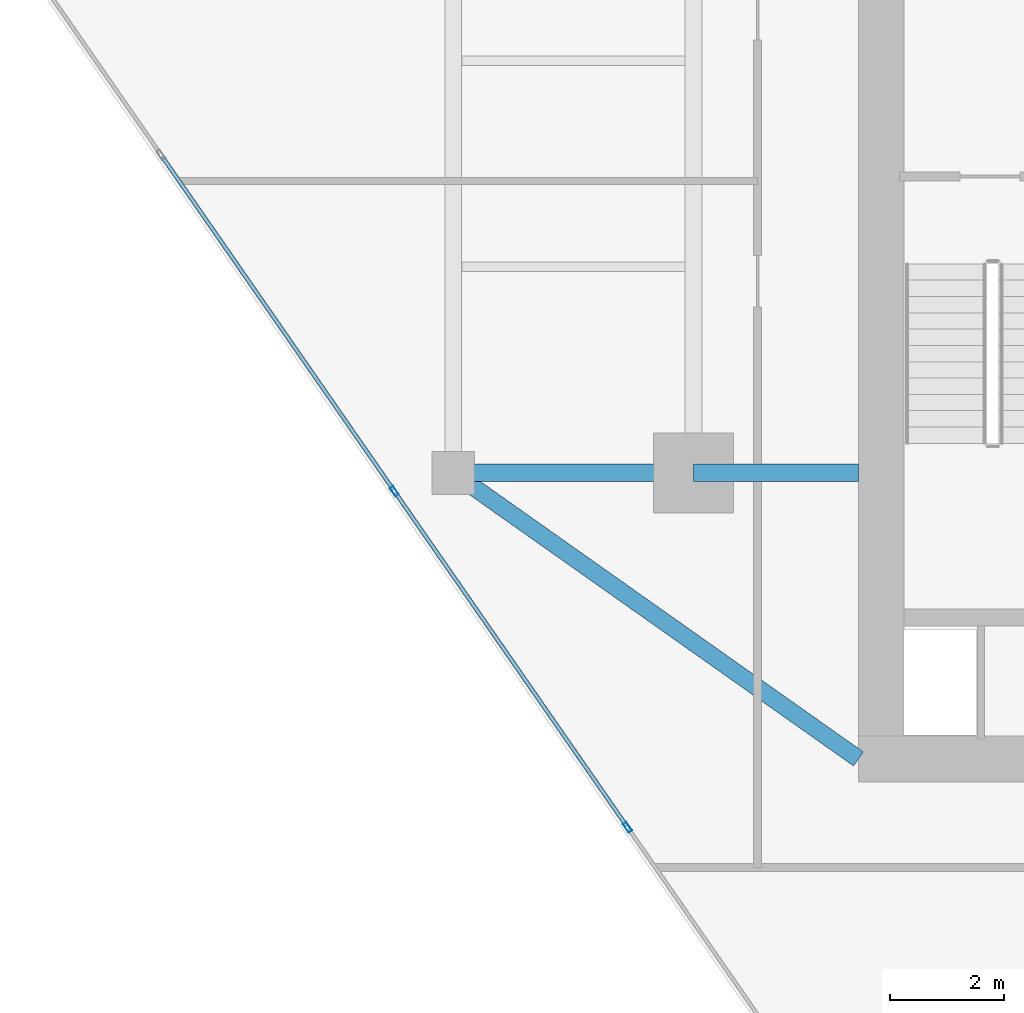
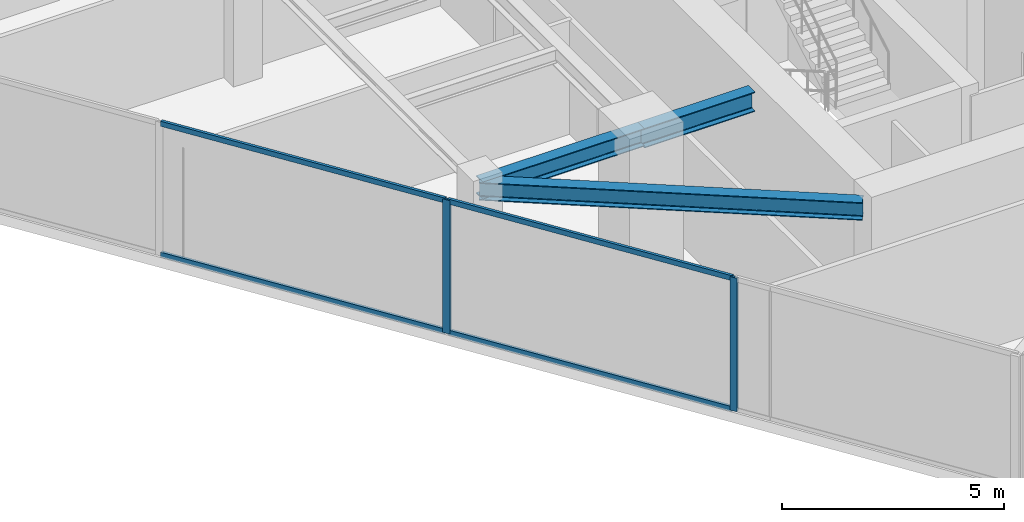
# One storey, part 2 of 21: 6 members, 3 beams, 1 element without a shape of its own.
"""IFC4 building model written with IfcOpenShell, lengths in metres."""

import ifcopenshell
import ifcopenshell.guid

model = None  # the IFC model being written
_history = None  # IfcOwnerHistory: only IFC2X3 demands one
_inside = {}  # id of a spatial element -> (the spatial element, [elements in it])
_under = {}  # id of a project, library or spatial element -> (it, [spatial elements below it])
_declared = {}  # id of a project -> (the project, [libraries it declares])
_typed = {}  # id of a type object -> (the type object, [elements of that type])
_made_of = {}  # id of a material, layer set ... -> (it, [elements and type objects made of it])


def new_model(schema):
    """Start an empty IFC model of exactly this schema.

    Asked for "IFC4X3", IfcOpenShell would pick the latest addendum, in which some entities
    have other attributes; the version numbers below select the first issue.
    IFC2X3 requires an IfcOwnerHistory on every rooted entity: one is made here for all.
    """
    global model, _history
    if schema == "IFC4X3":
        model = ifcopenshell.file(schema_version=(4, 3, 0, 0))
    else:
        model = ifcopenshell.file(schema=schema)
    _inside.clear()
    _under.clear()
    _declared.clear()
    _typed.clear()
    _made_of.clear()
    _history = None
    if model.schema == "IFC2X3":
        org = make("IfcOrganization", Name="unknown")
        user = make(
            "IfcPersonAndOrganization",
            ThePerson=make("IfcPerson", FamilyName="unknown"),
            TheOrganization=org,
        )
        app = make(
            "IfcApplication",
            ApplicationDeveloper=org,
            Version="unknown",
            ApplicationFullName="unknown",
            ApplicationIdentifier="unknown",
        )
        _history = make(
            "IfcOwnerHistory",
            OwningUser=user,
            OwningApplication=app,
            ChangeAction="ADDED",
            CreationDate=0,
        )
    return model


def make(cls, **values):
    """One entity of the class cls with the attributes given. An attribute that is None is left unset."""
    return model.create_entity(
        cls, **{name: value for name, value in values.items() if value is not None}
    )


def rooted(cls, **values):
    """An entity with a GlobalId (a new one), such as an element, a storey or a relation."""
    return make(cls, GlobalId=ifcopenshell.guid.new(), OwnerHistory=_history, **values)


def si_unit(unit_type, name, prefix=None):
    """IfcSIUnit, for example si_unit("LENGTHUNIT", "METRE", prefix="MILLI")."""
    return make("IfcSIUnit", UnitType=unit_type, Prefix=prefix, Name=name)


def assignment(units):
    """IfcUnitAssignment: the units of a project."""
    return None if units is None else make("IfcUnitAssignment", Units=units)


def point(xyz):
    """IfcCartesianPoint."""
    return None if xyz is None else make("IfcCartesianPoint", Coordinates=xyz)


def direction(xyz):
    """IfcDirection."""
    return None if xyz is None else make("IfcDirection", DirectionRatios=xyz)


def frame(location, z_axis=None, x_axis=None):
    """IfcAxis2Placement3D, a coordinate frame: its origin and axes. An axis left out is left unset."""
    return make(
        "IfcAxis2Placement3D",
        Location=point(location),
        Axis=direction(z_axis),
        RefDirection=direction(x_axis),
    )


def frame_2d(location, x_axis=None):
    """IfcAxis2Placement2D, a coordinate frame in the plane: its origin and x axis."""
    return make(
        "IfcAxis2Placement2D", Location=point(location), RefDirection=direction(x_axis)
    )


def origin():
    """The frame at (0, 0, 0) with its axes left unset."""
    return frame((0.0, 0.0, 0.0))


def origin_2d():
    """The frame at (0, 0) in the plane with its x axis left unset."""
    return frame_2d((0.0, 0.0))


def place(relative_to, where):
    """IfcLocalPlacement: puts the frame where relative to a parent placement (None: the world)."""
    return make(
        "IfcLocalPlacement", PlacementRelTo=relative_to, RelativePlacement=where
    )


def context(
    kind, dimensions, precision=None, world=None, true_north=None, identifier=None
):
    """IfcGeometricRepresentationContext, for example the 3D "Model" context."""
    return make(
        "IfcGeometricRepresentationContext",
        ContextIdentifier=identifier,
        ContextType=kind,
        CoordinateSpaceDimension=dimensions,
        Precision=precision,
        WorldCoordinateSystem=world,
        TrueNorth=true_north,
    )


def subcontext(parent, identifier, kind, view, scale=None):
    """IfcGeometricRepresentationSubContext, for example "Body" below "Model"."""
    return make(
        "IfcGeometricRepresentationSubContext",
        ContextIdentifier=identifier,
        ContextType=kind,
        ParentContext=parent,
        TargetScale=scale,
        TargetView=view,
    )


def project(units=None, contexts=None):
    """IfcProject with its units and contexts."""
    return rooted(
        "IfcProject",
        Name="project",
        RepresentationContexts=contexts,
        UnitsInContext=assignment(units),
    )


def spatial(cls, under=None, at=None, **own):
    """A site, building, storey or space (cls), placed at a placement, below another one or the project."""
    s = rooted(cls, ObjectPlacement=at, **own)
    if under is not None:
        _under.setdefault(under.id(), (under, []))[1].append(s)
    return s


def profile(cls, at=None, kind="AREA", **sizes):
    """A parametric profile (cls). Its sizes go by their IFC names, for example OverallWidth=200.0."""
    return make(cls, ProfileType=kind, Position=at, **sizes)


def hollow_rectangle(**sizes):
    """IfcRectangleHollowProfileDef."""
    return profile("IfcRectangleHollowProfileDef", **sizes)


def i_section(**sizes):
    """IfcIShapeProfileDef."""
    return profile("IfcIShapeProfileDef", **sizes)


def extrude(swept, where, along, depth):
    """IfcExtrudedAreaSolid: the profile swept, set in the frame where, extruded along a direction by depth."""
    return make(
        "IfcExtrudedAreaSolid",
        SweptArea=swept,
        Position=where,
        ExtrudedDirection=direction(along),
        Depth=depth,
    )


def shape(context_of_items, identifier, shape_type, items):
    """IfcShapeRepresentation: the items that make up one representation, for example the "Body"."""
    return make(
        "IfcShapeRepresentation",
        ContextOfItems=context_of_items,
        RepresentationIdentifier=identifier,
        RepresentationType=shape_type,
        Items=items,
    )


def source(mapping_origin, context_of_items, identifier, shape_type, items):
    """IfcRepresentationMap: a shape defined once, which mapped items show again and again."""
    return make(
        "IfcRepresentationMap",
        MappingOrigin=mapping_origin,
        MappedRepresentation=shape(context_of_items, identifier, shape_type, items),
    )


def transform(
    local_origin,
    x_axis=None,
    y_axis=None,
    z_axis=None,
    scale=None,
    scale2=None,
    scale3=None,
    uniform=True,
):
    """IfcCartesianTransformationOperator3D, or its non-uniform kind. x_axis, y_axis, z_axis: its Axis1, 2, 3."""
    if uniform:
        return make(
            "IfcCartesianTransformationOperator3D",
            Axis1=direction(x_axis),
            Axis2=direction(y_axis),
            LocalOrigin=point(local_origin),
            Scale=scale,
            Axis3=direction(z_axis),
        )
    return make(
        "IfcCartesianTransformationOperator3DnonUniform",
        Axis1=direction(x_axis),
        Axis2=direction(y_axis),
        LocalOrigin=point(local_origin),
        Scale=scale,
        Axis3=direction(z_axis),
        Scale2=scale2,
        Scale3=scale3,
    )


def mapped(mapping_source, mapping_target):
    """IfcMappedItem: shows the shape of a source again, moved by a transform."""
    return make(
        "IfcMappedItem", MappingSource=mapping_source, MappingTarget=mapping_target
    )


def material(Name=None, Category=None):
    """IfcMaterial."""
    return make("IfcMaterial", Name=Name, Category=Category)


def material_profile(
    of_material, cross_section, Name=None, Category=None, Priority=None
):
    """IfcMaterialProfile: a cross section and its material."""
    return make(
        "IfcMaterialProfile",
        Name=Name,
        Material=of_material,
        Profile=cross_section,
        Priority=Priority,
        Category=Category,
    )


def profile_set(profiles, Name=None, composite=None):
    """IfcMaterialProfileSet."""
    return make(
        "IfcMaterialProfileSet",
        Name=Name,
        MaterialProfiles=profiles,
        CompositeProfile=composite,
    )


def made_of(thing, what):
    """Note that an element or type object is made of a material, layer set ...; save() writes the relation."""
    if what is not None:
        _made_of.setdefault(what.id(), (what, []))[1].append(thing)
    return thing


def type_object(cls, material=None, **own):
    """A type object (cls), such as IfcWallType, which elements share."""
    return made_of(rooted(cls, **own), material)


def type_shapes(of_type, sources):
    """Give a type object the sources (RepresentationMaps) that its elements show as mapped items."""
    of_type.RepresentationMaps = sources


def element(
    cls,
    number,
    at=None,
    inside=None,
    cuts=None,
    type_object=None,
    material=None,
    context=None,
    identifier="Body",
    shape_type=None,
    held_by="IfcProductDefinitionShape",
    body=None,
    shapes=None,
    **own,
):
    """One element of the class cls, such as IfcWall. Its Tag is "e" and its number.

    at: its placement. inside: the storey or other place that contains it. cuts: it is an
    opening in that element (IfcRelVoidsElement). A single representation is given by context,
    identifier, shape_type and body (its items); several are given by shapes. held_by: the class
    of the entity that holds the representations. save() writes the other relations.
    """
    e = rooted(cls, Tag="e%d" % number, ObjectPlacement=at, **own)
    if body is not None:
        shapes = [shape(context, identifier, shape_type, body)]
    if shapes is not None:
        e.Representation = make(held_by, Representations=shapes)
    if inside is not None:
        _inside.setdefault(inside.id(), (inside, []))[1].append(e)
    if cuts is not None:
        rooted(
            "IfcRelVoidsElement", RelatingBuildingElement=cuts, RelatedOpeningElement=e
        )
    if type_object is not None:
        _typed.setdefault(type_object.id(), (type_object, []))[1].append(e)
    return made_of(e, material)


def aggregate(whole, parts):
    """IfcRelAggregates: a whole, such as a stair, and the parts it consists of."""
    return rooted("IfcRelAggregates", RelatingObject=whole, RelatedObjects=parts)


def save(model, path):
    """Write the relations noted so far, then the file.

    IfcRelAggregates (storeys below a building ...), IfcRelContainedInSpatialStructure (elements
    in a storey), IfcRelDefinesByType, IfcRelAssociatesMaterial and IfcRelDeclares: one each for
    every whole, place, type object, material and project.
    """
    for whole, parts in _under.values():
        aggregate(whole, parts)
    for where, things in _inside.values():
        rooted(
            "IfcRelContainedInSpatialStructure",
            RelatedElements=things,
            RelatingStructure=where,
        )
    for kind, things in _typed.values():
        rooted("IfcRelDefinesByType", RelatedObjects=things, RelatingType=kind)
    for what, things in _made_of.values():
        rooted("IfcRelAssociatesMaterial", RelatedObjects=things, RelatingMaterial=what)
    for by, libraries in _declared.values():
        rooted("IfcRelDeclares", RelatingContext=by, RelatedDefinitions=libraries)
    model.write(path)


model = new_model("IFC4")

# Units and contexts
model_context = context("Model", 3, precision=1e-05, world=origin(), true_north=direction((0.0, 1.0)))
body_context = subcontext(model_context, "Body", "Model", "MODEL_VIEW")
ifc_project = project(units=[si_unit("LENGTHUNIT", "METRE"), si_unit("AREAUNIT", "SQUARE_METRE"), si_unit("VOLUMEUNIT", "CUBIC_METRE"), si_unit("PLANEANGLEUNIT", "RADIAN"), si_unit("MASSUNIT", "GRAM", prefix="KILO")], contexts=[model_context])

# Site, building, storey
site_placement = place(None, origin())
site = spatial("IfcSite", under=ifc_project, at=site_placement, CompositionType="ELEMENT")
building_placement = place(site_placement, origin())
building = spatial("IfcBuilding", under=site, at=building_placement, Name="Krantzveldt Concourse Tower", CompositionType="ELEMENT")
storey_placement = place(building_placement, frame((0.0, 0.0, 275.300048828125)))
storey = spatial("IfcBuildingStorey", under=building, at=storey_placement, Name="L67", CompositionType="ELEMENT", Elevation=275.300048828125)

# Beams
ifc_material_1 = material(Name="Steel S355JR", Category="steel")
ifc_material_profile_1 = material_profile(ifc_material_1, i_section(OverallWidth=0.300048828125, OverallDepth=0.489990234375, WebThickness=0.011962890625, FlangeThickness=0.02294921875, FilletRadius=0.027099609375, at=origin_2d()), Name="Steel S355JR", Category="steel")
ifc_profile_set_1 = profile_set([ifc_material_profile_1], Name="Steel S355JR - HEA 500")
beam_type_1 = type_object("IfcBeamType", Name="BM-B-HEA500", PredefinedType="BEAM", material=ifc_profile_set_1)
shared_shape_1 = source(origin(), body_context, "Body", "SweptSolid", [
    extrude(i_section(OverallWidth=0.300048828125, OverallDepth=0.489990234375, WebThickness=0.011962890625, FlangeThickness=0.02294921875, FilletRadius=0.027099609375, at=origin_2d()), origin(), (0.0, 0.0, 1.0), 4.199951171875),
])
beam_1_placement = place(storey_placement, frame((21.0, 15.89990234375, 3.425048828125), z_axis=(1.0, 0.0, 0.0), x_axis=(0.0, 1.0, 0.0)))
element("IfcBeam", 1, at=beam_1_placement, inside=storey, type_object=beam_type_1, Name="L67 Tower Girder BR-RL1", PredefinedType="BEAM", context=body_context, shape_type="MappedRepresentation", body=[
    mapped(shared_shape_1, transform((0.0, 0.0, 0.0), x_axis=(1.0, 0.0, 0.0), y_axis=(0.0, 1.0, 0.0), z_axis=(0.0, 0.0, 1.0), scale=1.0)),
])
shared_shape_2 = source(origin(), body_context, "Body", "SweptSolid", [
    extrude(i_section(OverallWidth=0.300048828125, OverallDepth=0.489990234375, WebThickness=0.011962890625, FlangeThickness=0.02294921875, FilletRadius=0.027099609375, at=origin_2d()), origin(), (0.0, 0.0, 1.0), 8.667724609375),
])
type_shapes(beam_type_1, [shared_shape_1, shared_shape_2])
beam_2_placement = place(storey_placement, frame((21.0, 15.89990234375, 3.425048828125), z_axis=(0.81684294656, -0.576860122261, 0.0), x_axis=(0.576860122261, 0.81684294656, 0.0)))
element("IfcBeam", 2, at=beam_2_placement, inside=storey, type_object=beam_type_1, Name="L67 Tower Girder BR-CSW", PredefinedType="BEAM", context=body_context, shape_type="MappedRepresentation", body=[
    mapped(shared_shape_2, transform((0.0, 0.0, 0.0), x_axis=(1.0, 0.0, 0.0), y_axis=(0.0, 1.0, 0.0), z_axis=(0.0, 0.0, 1.0), scale=1.0)),
])
ifc_material_profile_2 = material_profile(ifc_material_1, i_section(OverallWidth=0.300048828125, OverallDepth=0.5400390625, WebThickness=0.012451171875, FlangeThickness=0.02392578125, FilletRadius=0.027099609375, at=origin_2d()), Name="Steel S355JR", Category="steel")
ifc_profile_set_2 = profile_set([ifc_material_profile_2], Name="Steel S355JR - HEA 550")
beam_type_2 = type_object("IfcBeamType", Name="BM-B-HEA550", PredefinedType="BEAM", material=ifc_profile_set_2)
shared_shape_3 = source(origin(), body_context, "Body", "SweptSolid", [
    extrude(i_section(OverallWidth=0.300048828125, OverallDepth=0.5400390625, WebThickness=0.012451171875, FlangeThickness=0.02392578125, FilletRadius=0.027099609375, at=origin_2d()), origin(), (0.0, 0.0, 1.0), 2.880126953125),
])
type_shapes(beam_type_2, [shared_shape_3])
beam_3_placement = place(storey_placement, frame((25.199951171875, 15.89990234375, 3.39990234375), z_axis=(1.0, 0.0, 0.0), x_axis=(0.0, 1.0, 0.0)))
element("IfcBeam", 3, at=beam_3_placement, inside=storey, type_object=beam_type_2, Name="L67 Tower Girder BG-CW1", PredefinedType="BEAM", context=body_context, shape_type="MappedRepresentation", body=[
    mapped(shared_shape_3, transform((0.0, 0.0, 0.0), x_axis=(1.0, 0.0, 0.0), y_axis=(0.0, 1.0, 0.0), z_axis=(0.0, 0.0, 1.0), scale=1.0)),
])

# Curtain wall, members
ifc_material_2 = material(Name="Anodised aluminium 6063-T6", Category="aluminium")
curtain_wall_type = type_object("IfcCurtainWallType", Name="CW4", PredefinedType="USERDEFINED", material=ifc_material_2)
curtain_wall_placement = place(storey_placement, origin())
curtain_wall = element("IfcCurtainWall", 4, at=curtain_wall_placement, inside=storey, type_object=curtain_wall_type, Name="CW-L67-F08", ObjectType="UNITISED CURTAIN WALL", PredefinedType="USERDEFINED")
ifc_material_profile_3 = material_profile(ifc_material_2, hollow_rectangle(XDim=0.070068359375, YDim=0.179931640625, WallThickness=0.0048828125, at=origin_2d()), Name="Anodised aluminium 6063-T6", Category="aluminium")
ifc_profile_set_3 = profile_set([ifc_material_profile_3], Name="Anodised aluminium 6063-T6 - ALU-MULL 180x70x5")
member_type_1 = type_object("IfcMemberType", Name="CW-MUL-180", PredefinedType="MULLION", material=ifc_profile_set_3)
shared_shape_4 = source(origin(), body_context, "Body", "SweptSolid", [
    extrude(hollow_rectangle(XDim=0.070068359375, YDim=0.179931640625, WallThickness=0.0048828125, at=origin_2d()), origin(), (0.0, 0.0, 1.0), 3.669921875),
])
type_shapes(member_type_1, [shared_shape_4])
member_1_placement = place(storey_placement, frame((19.9697265625, 15.579345703125, 0.0), z_axis=(0.0, 0.0, 1.0), x_axis=(0.821647031735, 0.569996627395, 0.0)))
member_1 = element("IfcMember", 5, at=member_1_placement, type_object=member_type_1, Name="CW-Z56 mullion 3", PredefinedType="MULLION", context=body_context, shape_type="MappedRepresentation", body=[
    mapped(shared_shape_4, transform((0.0, 0.0, 0.0), x_axis=(1.0, 0.0, 0.0), y_axis=(0.0, 1.0, 0.0), z_axis=(0.0, 0.0, 1.0), scale=1.0)),
])
member_2_placement = place(storey_placement, frame((24.045166015625, 9.70458984375, 0.0), z_axis=(0.0, 0.0, 1.0), x_axis=(0.821647031735, 0.569996627395, 0.0)))
member_2 = element("IfcMember", 6, at=member_2_placement, type_object=member_type_1, Name="CW-Z56 mullion 4", PredefinedType="MULLION", context=body_context, shape_type="MappedRepresentation", body=[
    mapped(shared_shape_4, transform((0.0, 0.0, 0.0), x_axis=(1.0, 0.0, 0.0), y_axis=(0.0, 1.0, 0.0), z_axis=(0.0, 0.0, 1.0), scale=1.0)),
])
ifc_material_profile_4 = material_profile(ifc_material_2, hollow_rectangle(XDim=0.070068359375, YDim=0.139892578125, WallThickness=0.0048828125, at=origin_2d()), Name="Anodised aluminium 6063-T6", Category="aluminium")
ifc_profile_set_4 = profile_set([ifc_material_profile_4], Name="Anodised aluminium 6063-T6 - ALU-TRAN 140x70x5")
member_type_2 = type_object("IfcMemberType", Name="CW-TRN-150", PredefinedType="USERDEFINED", material=ifc_profile_set_4)
shared_shape_5 = source(origin(), body_context, "Body", "SweptSolid", [
    extrude(hollow_rectangle(XDim=0.070068359375, YDim=0.139892578125, WallThickness=0.0048828125, at=origin_2d()), origin(), (0.0, 0.0, 1.0), 7.079833984375),
])
type_shapes(member_type_2, [shared_shape_5])
member_3_placement = place(storey_placement, frame((15.9140625, 21.42529296875, 0.034912109375), z_axis=(0.570011241397, -0.821636893452, 0.0), x_axis=(0.821636893452, 0.570011241397, 0.0)))
member_3 = element("IfcMember", 7, at=member_3_placement, type_object=member_type_2, Name="CW-Z56 transom 2.1", ObjectType="TRANSOM", PredefinedType="USERDEFINED", context=body_context, shape_type="MappedRepresentation", body=[
    mapped(shared_shape_5, transform((0.0, 0.0, 0.0), x_axis=(1.0, 0.0, 0.0), y_axis=(0.0, 1.0, 0.0), z_axis=(0.0, 0.0, 1.0), scale=1.0)),
])
member_4_placement = place(storey_placement, frame((15.9140625, 21.42529296875, 3.635009765625), z_axis=(0.570011241397, -0.821636893452, 0.0), x_axis=(0.821636893452, 0.570011241397, 0.0)))
member_4 = element("IfcMember", 8, at=member_4_placement, type_object=member_type_2, Name="CW-Z56 transom 2.2", ObjectType="TRANSOM", PredefinedType="USERDEFINED", context=body_context, shape_type="MappedRepresentation", body=[
    mapped(shared_shape_5, transform((0.0, 0.0, 0.0), x_axis=(1.0, 0.0, 0.0), y_axis=(0.0, 1.0, 0.0), z_axis=(0.0, 0.0, 1.0), scale=1.0)),
])
member_5_placement = place(storey_placement, frame((19.989501953125, 15.550537109375, 0.034912109375), z_axis=(0.570011241397, -0.821636893452, 0.0), x_axis=(0.821636893452, 0.570011241397, 0.0)))
member_5 = element("IfcMember", 9, at=member_5_placement, type_object=member_type_2, Name="CW-Z56 transom 3.1", ObjectType="TRANSOM", PredefinedType="USERDEFINED", context=body_context, shape_type="MappedRepresentation", body=[
    mapped(shared_shape_5, transform((0.0, 0.0, 0.0), x_axis=(1.0, 0.0, 0.0), y_axis=(0.0, 1.0, 0.0), z_axis=(0.0, 0.0, 1.0), scale=1.0)),
])
member_6_placement = place(storey_placement, frame((19.989501953125, 15.550537109375, 3.635009765625), z_axis=(0.570011241397, -0.821636893452, 0.0), x_axis=(0.821636893452, 0.570011241397, 0.0)))
member_6 = element("IfcMember", 10, at=member_6_placement, type_object=member_type_2, Name="CW-Z56 transom 3.2", ObjectType="TRANSOM", PredefinedType="USERDEFINED", context=body_context, shape_type="MappedRepresentation", body=[
    mapped(shared_shape_5, transform((0.0, 0.0, 0.0), x_axis=(1.0, 0.0, 0.0), y_axis=(0.0, 1.0, 0.0), z_axis=(0.0, 0.0, 1.0), scale=1.0)),
])
aggregate(curtain_wall, [member_1, member_2, member_3, member_4, member_5, member_6])

save(model, "model.ifc")
